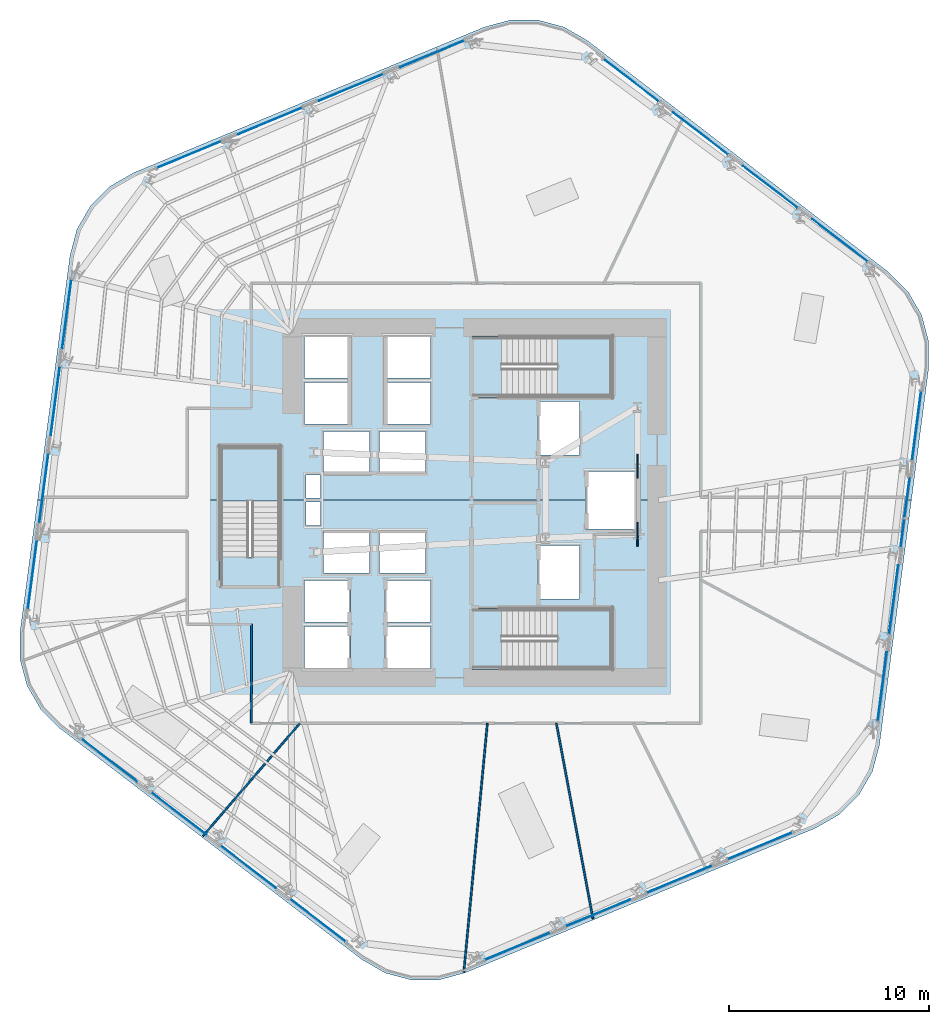
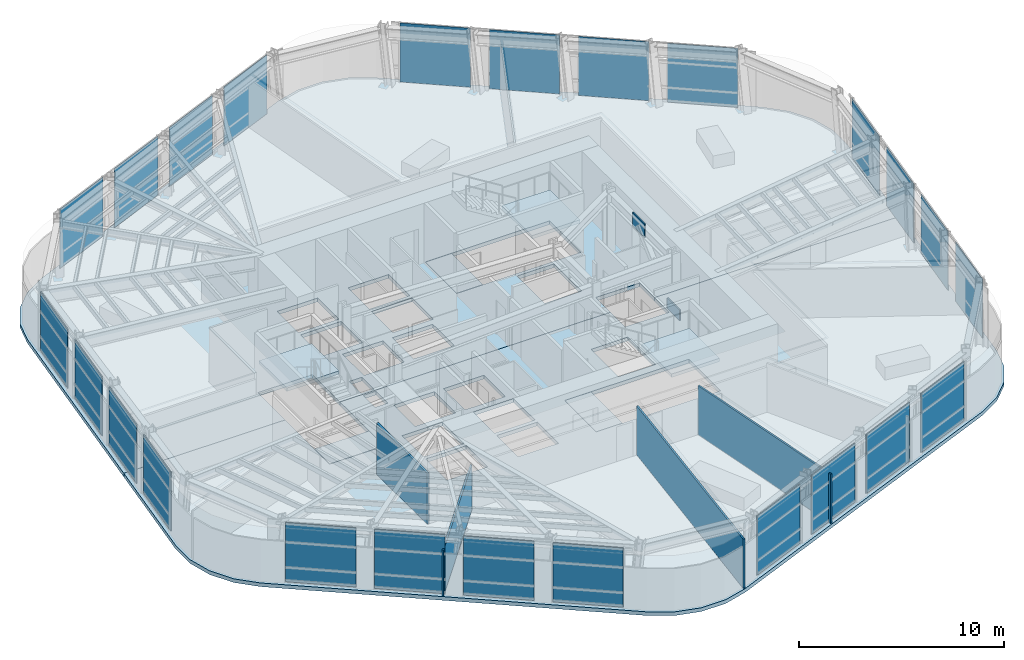
# One storey, part 8 of 18: 26 plates, 8 slabs, 4 walls, 9 elements without a shape of their own.
"""IFC4 building model written with IfcOpenShell, lengths in metres."""

from ifc_helpers import new_model, si_unit, direction, frame, frame_2d, origin, origin_2d, place, context, subcontext, project, spatial, polyline, rectangle, outline, extrude, material, layer, layer_set, type_object, element, aggregate, save


model = new_model("IFC4")

# Units and contexts
model_context = context("Model", 3, precision=1e-05, world=origin(), true_north=direction((0.0, 1.0)))
body_context = subcontext(model_context, "Body", "Model", "MODEL_VIEW")
ifc_project = project(units=[si_unit("LENGTHUNIT", "METRE"), si_unit("AREAUNIT", "SQUARE_METRE"), si_unit("VOLUMEUNIT", "CUBIC_METRE"), si_unit("PLANEANGLEUNIT", "RADIAN"), si_unit("MASSUNIT", "GRAM", prefix="KILO")], contexts=[model_context])

# Site, building, storey
site_placement = place(None, origin())
site = spatial("IfcSite", under=ifc_project, at=site_placement, CompositionType="ELEMENT")
building_placement = place(site_placement, origin())
building = spatial("IfcBuilding", under=site, at=building_placement, Name="Valkerne Bourse Tower", CompositionType="ELEMENT")
storey_placement = place(building_placement, frame((0.0, 0.0, 120.0)))
storey = spatial("IfcBuildingStorey", under=building, at=storey_placement, Name="L30", CompositionType="ELEMENT", Elevation=120.0)

# Curtain wall, plates
ifc_material_1 = material(Name="Aluminium AA 6063-T6", Category="aluminium")
ifc_layer_1 = layer(ifc_material_1, 0.22998046875)
ifc_layer_set_1 = layer_set([ifc_layer_1], Name="Aluminium AA 6063-T6")
curtain_wall_type = type_object("IfcCurtainWallType", Name="CW-02", PredefinedType="NOTDEFINED", material=ifc_layer_set_1)
curtain_wall_1_placement = place(storey_placement, origin())
curtain_wall_1 = element("IfcCurtainWall", 1, at=curtain_wall_1_placement, inside=storey, type_object=curtain_wall_type, Name="L30 Hexagonal Stick Curtain Wall Face 1", PredefinedType="NOTDEFINED")
ifc_material_2 = material(Name="Glass IGU Low-E Double Glazed", Category="glass")
ifc_layer_2 = layer(ifc_material_2, 0.031982421875)
ifc_layer_set_2 = layer_set([ifc_layer_2], Name="Glass IGU Low-E Double Glazed")
plate_type_1 = type_object("IfcPlateType", Name="CW-PNL-IGU-32", PredefinedType="CURTAIN_PANEL", material=ifc_layer_set_2)
plate_1_placement = place(storey_placement, frame((65.060302734375, 39.99755859375, 0.030029296875), z_axis=(0.0, 0.0, 1.0), x_axis=(-0.793347764857, 0.608768694987, 0.0)))
plate_1 = element("IfcPlate", 2, at=plate_1_placement, type_object=plate_type_1, Name="CW-L30-F1 Curtain Panel 00", PredefinedType="CURTAIN_PANEL", context=body_context, shape_type="SweptSolid", body=[
    extrude(rectangle(XDim=3.462890625, YDim=0.031982421875, at=origin_2d()), origin(), (0.0, 0.0, 1.0), 3.52001953125),
])
plate_2_placement = place(storey_placement, frame((61.5830078125, 42.66552734375, 0.030029296875), z_axis=(0.0, 0.0, 1.0), x_axis=(-0.793356220117, 0.608757675929, 0.0)))
plate_2 = element("IfcPlate", 3, at=plate_2_placement, type_object=plate_type_1, Name="CW-L30-F1 Curtain Panel 01", PredefinedType="CURTAIN_PANEL", context=body_context, shape_type="SweptSolid", body=[
    extrude(rectangle(XDim=3.463134765625, YDim=0.031982421875, at=origin_2d()), origin(), (0.0, 0.0, 1.0), 3.52001953125),
])
plate_3_placement = place(storey_placement, frame((58.105712890625, 45.333740234375, 0.030029296875), z_axis=(0.0, 0.0, 1.0), x_axis=(-0.793356220117, 0.608757675929, 0.0)))
plate_3 = element("IfcPlate", 4, at=plate_3_placement, type_object=plate_type_1, Name="CW-L30-F1 Curtain Panel 02", PredefinedType="CURTAIN_PANEL", context=body_context, shape_type="SweptSolid", body=[
    extrude(rectangle(XDim=3.463134765625, YDim=0.031982421875, at=origin_2d()), origin(), (0.0, 0.0, 1.0), 3.52001953125),
])
plate_4_placement = place(storey_placement, frame((54.62841796875, 48.001953125, 0.030029296875), z_axis=(0.0, 0.0, 1.0), x_axis=(-0.793347764857, 0.608768694987, 0.0)))
plate_4 = element("IfcPlate", 5, at=plate_4_placement, type_object=plate_type_1, Name="CW-L30-F1 Curtain Panel 03", PredefinedType="CURTAIN_PANEL", context=body_context, shape_type="SweptSolid", body=[
    extrude(rectangle(XDim=3.462890625, YDim=0.031982421875, at=origin_2d()), origin(), (0.0, 0.0, 1.0), 3.52001953125),
])
aggregate(curtain_wall_1, [plate_1, plate_2, plate_3, plate_4])

curtain_wall_2_placement = place(storey_placement, origin())
curtain_wall_2 = element("IfcCurtainWall", 6, at=curtain_wall_2_placement, inside=storey, type_object=curtain_wall_type, Name="L30 Hexagonal Stick Curtain Wall Face 2", PredefinedType="NOTDEFINED")
plate_5_placement = place(storey_placement, frame((44.674072265625, 49.3125, 0.030029296875), z_axis=(0.0, 0.0, 1.0), x_axis=(-0.923880855352, -0.382680238729, 0.0)))
plate_5 = element("IfcPlate", 7, at=plate_5_placement, type_object=plate_type_1, Name="CW-L30-F2 Curtain Panel 00", PredefinedType="CURTAIN_PANEL", context=body_context, shape_type="SweptSolid", body=[
    extrude(rectangle(XDim=3.463134765625, YDim=0.031982421875, at=origin_2d()), origin(), (0.0, 0.0, 1.0), 3.52001953125),
])
plate_6_placement = place(storey_placement, frame((40.624755859375, 47.63525390625, 0.030029296875), z_axis=(0.0, 0.0, 1.0), x_axis=(-0.923877514085, -0.38268830524, 0.0)))
plate_6 = element("IfcPlate", 8, at=plate_6_placement, type_object=plate_type_1, Name="CW-L30-F2 Curtain Panel 01", PredefinedType="CURTAIN_PANEL", context=body_context, shape_type="SweptSolid", body=[
    extrude(rectangle(XDim=3.462890625, YDim=0.031982421875, at=origin_2d()), origin(), (0.0, 0.0, 1.0), 3.52001953125),
])
plate_7_placement = place(storey_placement, frame((36.5751953125, 45.9580078125, 0.030029296875), z_axis=(0.0, 0.0, 1.0), x_axis=(-0.923880855352, -0.382680238729, 0.0)))
plate_7 = element("IfcPlate", 9, at=plate_7_placement, type_object=plate_type_1, Name="CW-L30-F2 Curtain Panel 02", PredefinedType="CURTAIN_PANEL", context=body_context, shape_type="SweptSolid", body=[
    extrude(rectangle(XDim=3.463134765625, YDim=0.031982421875, at=origin_2d()), origin(), (0.0, 0.0, 1.0), 3.52001953125),
])
plate_8_placement = place(storey_placement, frame((32.52587890625, 44.280517578125, 0.030029296875), z_axis=(0.0, 0.0, 1.0), x_axis=(-0.923877514085, -0.38268830524, 0.0)))
plate_8 = element("IfcPlate", 10, at=plate_8_placement, type_object=plate_type_1, Name="CW-L30-F2 Curtain Panel 03", PredefinedType="CURTAIN_PANEL", context=body_context, shape_type="SweptSolid", body=[
    extrude(rectangle(XDim=3.462890625, YDim=0.031982421875, at=origin_2d()), origin(), (0.0, 0.0, 1.0), 3.52001953125),
])
aggregate(curtain_wall_2, [plate_5, plate_6, plate_7, plate_8])

curtain_wall_3_placement = place(storey_placement, origin())
curtain_wall_3 = element("IfcCurtainWall", 11, at=curtain_wall_3_placement, inside=storey, type_object=curtain_wall_type, Name="L30 Hexagonal Stick Curtain Wall Face 3", PredefinedType="NOTDEFINED")
plate_9_placement = place(storey_placement, frame((26.413818359375, 36.315185546875, 0.030029296875), z_axis=(0.0, 0.0, 1.0), x_axis=(-0.130527105368, -0.991444741155, 0.0)))
plate_9 = element("IfcPlate", 12, at=plate_9_placement, type_object=plate_type_1, Name="CW-L30-F3 Curtain Panel 00", PredefinedType="CURTAIN_PANEL", context=body_context, shape_type="SweptSolid", body=[
    extrude(rectangle(XDim=3.462890625, YDim=0.031982421875, at=origin_2d()), origin(), (0.0, 0.0, 1.0), 3.52001953125),
])
plate_10_placement = place(storey_placement, frame((25.841796875, 31.9697265625, 0.030029296875), z_axis=(0.0, 0.0, 1.0), x_axis=(-0.130527105368, -0.991444741155, 0.0)))
plate_10 = element("IfcPlate", 13, at=plate_10_placement, type_object=plate_type_1, Name="CW-L30-F3 Curtain Panel 01", PredefinedType="CURTAIN_PANEL", context=body_context, shape_type="SweptSolid", body=[
    extrude(rectangle(XDim=3.462890625, YDim=0.031982421875, at=origin_2d()), origin(), (0.0, 0.0, 1.0), 3.52001953125),
])
plate_11_placement = place(storey_placement, frame((25.26953125, 27.624267578125, 0.030029296875), z_axis=(0.0, 0.0, 1.0), x_axis=(-0.130527105368, -0.991444741155, 0.0)))
plate_11 = element("IfcPlate", 14, at=plate_11_placement, type_object=plate_type_1, Name="CW-L30-F3 Curtain Panel 02", PredefinedType="CURTAIN_PANEL", context=body_context, shape_type="SweptSolid", body=[
    extrude(rectangle(XDim=3.462890625, YDim=0.031982421875, at=origin_2d()), origin(), (0.0, 0.0, 1.0), 3.52001953125),
])
plate_12_placement = place(storey_placement, frame((24.697509765625, 23.278564453125, 0.030029296875), z_axis=(0.0, 0.0, 1.0), x_axis=(-0.130527105368, -0.991444741155, 0.0)))
plate_12 = element("IfcPlate", 15, at=plate_12_placement, type_object=plate_type_1, Name="CW-L30-F3 Curtain Panel 03", PredefinedType="CURTAIN_PANEL", context=body_context, shape_type="SweptSolid", body=[
    extrude(rectangle(XDim=3.462890625, YDim=0.031982421875, at=origin_2d()), origin(), (0.0, 0.0, 1.0), 3.52001953125),
])
aggregate(curtain_wall_3, [plate_9, plate_10, plate_11, plate_12])

curtain_wall_4_placement = place(storey_placement, origin())
curtain_wall_4 = element("IfcCurtainWall", 16, at=curtain_wall_4_placement, inside=storey, type_object=curtain_wall_type, Name="L30 Hexagonal Stick Curtain Wall Face 4", PredefinedType="NOTDEFINED")
plate_13_placement = place(storey_placement, frame((28.539794921875, 14.00244140625, 0.030029296875), z_axis=(0.0, 0.0, 1.0), x_axis=(0.793347764857, -0.608768694987, 0.0)))
plate_13 = element("IfcPlate", 17, at=plate_13_placement, type_object=plate_type_1, Name="CW-L30-F4 Curtain Panel 00", PredefinedType="CURTAIN_PANEL", context=body_context, shape_type="SweptSolid", body=[
    extrude(rectangle(XDim=3.462890625, YDim=0.031982421875, at=origin_2d()), origin(), (0.0, 0.0, 1.0), 3.52001953125),
])
plate_14_placement = place(storey_placement, frame((32.01708984375, 11.33447265625, 0.030029296875), z_axis=(0.0, 0.0, 1.0), x_axis=(0.793356220117, -0.608757675929, 0.0)))
plate_14 = element("IfcPlate", 18, at=plate_14_placement, type_object=plate_type_1, Name="CW-L30-F4 Curtain Panel 01", PredefinedType="CURTAIN_PANEL", context=body_context, shape_type="SweptSolid", body=[
    extrude(rectangle(XDim=3.463134765625, YDim=0.031982421875, at=origin_2d()), origin(), (0.0, 0.0, 1.0), 3.52001953125),
])
plate_15_placement = place(storey_placement, frame((35.494384765625, 8.666259765625, 0.030029296875), z_axis=(0.0, 0.0, 1.0), x_axis=(0.793356220117, -0.608757675929, 0.0)))
plate_15 = element("IfcPlate", 19, at=plate_15_placement, type_object=plate_type_1, Name="CW-L30-F4 Curtain Panel 02", PredefinedType="CURTAIN_PANEL", context=body_context, shape_type="SweptSolid", body=[
    extrude(rectangle(XDim=3.463134765625, YDim=0.031982421875, at=origin_2d()), origin(), (0.0, 0.0, 1.0), 3.52001953125),
])
plate_16_placement = place(storey_placement, frame((38.971435546875, 5.997802734375, 0.030029296875), z_axis=(0.0, 0.0, 1.0), x_axis=(0.793347764857, -0.608768694987, 0.0)))
plate_16 = element("IfcPlate", 20, at=plate_16_placement, type_object=plate_type_1, Name="CW-L30-F4 Curtain Panel 03", PredefinedType="CURTAIN_PANEL", context=body_context, shape_type="SweptSolid", body=[
    extrude(rectangle(XDim=3.462890625, YDim=0.031982421875, at=origin_2d()), origin(), (0.0, 0.0, 1.0), 3.52001953125),
])
aggregate(curtain_wall_4, [plate_13, plate_14, plate_15, plate_16])

curtain_wall_5_placement = place(storey_placement, origin())
curtain_wall_5 = element("IfcCurtainWall", 21, at=curtain_wall_5_placement, inside=storey, type_object=curtain_wall_type, Name="L30 Hexagonal Stick Curtain Wall Face 5", PredefinedType="NOTDEFINED")
plate_17_placement = place(storey_placement, frame((48.926025390625, 4.6875, 0.030029296875), z_axis=(0.0, 0.0, 1.0), x_axis=(0.923880855352, 0.382680238729, 0.0)))
plate_17 = element("IfcPlate", 22, at=plate_17_placement, type_object=plate_type_1, Name="CW-L30-F5 Curtain Panel 00", PredefinedType="CURTAIN_PANEL", context=body_context, shape_type="SweptSolid", body=[
    extrude(rectangle(XDim=3.463134765625, YDim=0.031982421875, at=origin_2d()), origin(), (0.0, 0.0, 1.0), 3.52001953125),
])
plate_18_placement = place(storey_placement, frame((52.975341796875, 6.36474609375, 0.030029296875), z_axis=(0.0, 0.0, 1.0), x_axis=(0.923877514085, 0.38268830524, 0.0)))
plate_18 = element("IfcPlate", 23, at=plate_18_placement, type_object=plate_type_1, Name="CW-L30-F5 Curtain Panel 01", PredefinedType="CURTAIN_PANEL", context=body_context, shape_type="SweptSolid", body=[
    extrude(rectangle(XDim=3.462890625, YDim=0.031982421875, at=origin_2d()), origin(), (0.0, 0.0, 1.0), 3.52001953125),
])
plate_19_placement = place(storey_placement, frame((57.024658203125, 8.0419921875, 0.030029296875), z_axis=(0.0, 0.0, 1.0), x_axis=(0.923880855352, 0.382680238729, 0.0)))
plate_19 = element("IfcPlate", 24, at=plate_19_placement, type_object=plate_type_1, Name="CW-L30-F5 Curtain Panel 02", PredefinedType="CURTAIN_PANEL", context=body_context, shape_type="SweptSolid", body=[
    extrude(rectangle(XDim=3.463134765625, YDim=0.031982421875, at=origin_2d()), origin(), (0.0, 0.0, 1.0), 3.52001953125),
])
plate_20_placement = place(storey_placement, frame((61.073974609375, 9.71923828125, 0.030029296875), z_axis=(0.0, 0.0, 1.0), x_axis=(0.923877514085, 0.38268830524, 0.0)))
plate_20 = element("IfcPlate", 25, at=plate_20_placement, type_object=plate_type_1, Name="CW-L30-F5 Curtain Panel 03", PredefinedType="CURTAIN_PANEL", context=body_context, shape_type="SweptSolid", body=[
    extrude(rectangle(XDim=3.462890625, YDim=0.031982421875, at=origin_2d()), origin(), (0.0, 0.0, 1.0), 3.52001953125),
])
aggregate(curtain_wall_5, [plate_17, plate_18, plate_19, plate_20])

curtain_wall_6_placement = place(storey_placement, origin())
curtain_wall_6 = element("IfcCurtainWall", 26, at=curtain_wall_6_placement, inside=storey, type_object=curtain_wall_type, Name="L30 Hexagonal Stick Curtain Wall Face 6", PredefinedType="NOTDEFINED")
plate_21_placement = place(storey_placement, frame((67.186279296875, 17.684814453125, 0.030029296875), z_axis=(0.0, 0.0, 1.0), x_axis=(0.130527105368, 0.991444741155, 0.0)))
plate_21 = element("IfcPlate", 27, at=plate_21_placement, type_object=plate_type_1, Name="CW-L30-F6 Curtain Panel 00", PredefinedType="CURTAIN_PANEL", context=body_context, shape_type="SweptSolid", body=[
    extrude(rectangle(XDim=3.462890625, YDim=0.031982421875, at=origin_2d()), origin(), (0.0, 0.0, 1.0), 3.52001953125),
])
plate_22_placement = place(storey_placement, frame((67.75830078125, 22.0302734375, 0.030029296875), z_axis=(0.0, 0.0, 1.0), x_axis=(0.130527105368, 0.991444741155, 0.0)))
plate_22 = element("IfcPlate", 28, at=plate_22_placement, type_object=plate_type_1, Name="CW-L30-F6 Curtain Panel 01", PredefinedType="CURTAIN_PANEL", context=body_context, shape_type="SweptSolid", body=[
    extrude(rectangle(XDim=3.462890625, YDim=0.031982421875, at=origin_2d()), origin(), (0.0, 0.0, 1.0), 3.52001953125),
])
plate_23_placement = place(storey_placement, frame((68.330322265625, 26.375732421875, 0.030029296875), z_axis=(0.0, 0.0, 1.0), x_axis=(0.130527105368, 0.991444741155, 0.0)))
plate_23 = element("IfcPlate", 29, at=plate_23_placement, type_object=plate_type_1, Name="CW-L30-F6 Curtain Panel 02", PredefinedType="CURTAIN_PANEL", context=body_context, shape_type="SweptSolid", body=[
    extrude(rectangle(XDim=3.462890625, YDim=0.031982421875, at=origin_2d()), origin(), (0.0, 0.0, 1.0), 3.52001953125),
])
plate_24_placement = place(storey_placement, frame((68.902587890625, 30.721435546875, 0.030029296875), z_axis=(0.0, 0.0, 1.0), x_axis=(0.130527105368, 0.991444741155, 0.0)))
plate_24 = element("IfcPlate", 30, at=plate_24_placement, type_object=plate_type_1, Name="CW-L30-F6 Curtain Panel 03", PredefinedType="CURTAIN_PANEL", context=body_context, shape_type="SweptSolid", body=[
    extrude(rectangle(XDim=3.462890625, YDim=0.031982421875, at=origin_2d()), origin(), (0.0, 0.0, 1.0), 3.52001953125),
])
aggregate(curtain_wall_6, [plate_21, plate_22, plate_23, plate_24])

# Plates
ifc_material_3 = material(Name="Steel ASTM A572 Grade 50", Category="steel")
ifc_layer_3 = layer(ifc_material_3, 0.06005859375)
ifc_layer_set_3 = layer_set([ifc_layer_3], Name="Steel ASTM A572 Grade 50")
plate_type_2 = type_object("IfcPlateType", Name="PLT-GUS-60", PredefinedType="SHEET", material=ifc_layer_set_3)
for number, where, z_axis, x_axis, name in (
    (31, (54.949951171875, 25.300048828125, -0.18017578125), (0.0, 0.0, 1.0), (0.0, 1.0, 0.0), "L30 Brace Node Gusset Plate PLT-GUS-END-L30-376"),
    (32, (54.949951171875, 28.699951171875, 2.8740234375), (0.0, 0.0, 1.0), (0.0, 1.0, 0.0), "L30 Brace Node Gusset Plate PLT-GUS-END-L30-377"),
):
    element("IfcPlate", number, at=place(storey_placement, frame(where, z_axis=z_axis, x_axis=x_axis)), inside=storey, type_object=plate_type_2, Name=name, PredefinedType="SHEET", context=body_context, shape_type="SweptSolid", body=[
        extrude(rectangle(XDim=1.199951171875, YDim=0.06005859375, at=origin_2d()), origin(), (0.0, 0.0, 1.0), 0.800048828125),
    ])

# Slabs
ifc_material_4 = material(Name="Concrete C40/50", Category="concrete")
ifc_layer_4 = layer(ifc_material_4, 0.25)
ifc_layer_set_4 = layer_set([ifc_layer_4], Name="Concrete C40/50")
slab_type_1 = type_object("IfcSlabType", Name="SLB-RMP-LND-250", PredefinedType="LANDING", material=ifc_layer_set_4)
slab_1_placement = place(storey_placement, frame((0.0, 0.0, -0.219970703125)))
element("IfcSlab", 33, at=slab_1_placement, inside=storey, type_object=slab_type_1, Name="L30 ST-1 Floor Landing Slab", PredefinedType="LANDING", context=body_context, shape_type="SweptSolid", body=[
    extrude(outline(polyline([(46.669921875, 18.5400390625), (48.14990234375, 18.5400390625), (48.14990234375, 21.610107421875), (46.669921875, 21.610107421875), (46.669921875, 18.5400390625)])), origin(), (0.0, 0.0, 1.0), 0.219970703125),
])
slab_2_placement = place(storey_placement, frame((0.0, 0.0, -0.219970703125)))
element("IfcSlab", 34, at=slab_2_placement, inside=storey, type_object=slab_type_1, Name="L30 ST-2 Floor Landing Slab", PredefinedType="LANDING", context=body_context, shape_type="SweptSolid", body=[
    extrude(outline(polyline([(46.669921875, 32.139892578125), (48.14990234375, 32.139892578125), (48.14990234375, 35.2099609375), (46.669921875, 35.2099609375), (46.669921875, 32.139892578125)])), origin(), (0.0, 0.0, 1.0), 0.219970703125),
])
slab_3_placement = place(storey_placement, frame((0.0, 0.0, -0.219970703125)))
element("IfcSlab", 35, at=slab_3_placement, inside=storey, type_object=slab_type_1, Name="L30 ST-3 Floor Landing Slab", PredefinedType="LANDING", context=body_context, shape_type="SweptSolid", body=[
    extrude(outline(polyline([(37.110107421875, 22.669921875), (37.110107421875, 24.14990234375), (34.0400390625, 24.14990234375), (34.0400390625, 22.669921875), (37.110107421875, 22.669921875)])), origin(), (0.0, 0.0, 1.0), 0.219970703125),
])

# Stair, slab
stair_type = type_object("IfcStairType", Name="ST-CORE-1400", PredefinedType="HALF_TURN_STAIR", material=ifc_material_4)
stair_1_placement = place(storey_placement, origin())
stair_1 = element("IfcStair", 36, at=stair_1_placement, inside=storey, type_object=stair_type, Name="L30 ST-1", PredefinedType="HALF_TURN_STAIR")
ifc_layer_5 = layer(ifc_material_4, 0.179931640625)
ifc_layer_set_5 = layer_set([ifc_layer_5], Name="Concrete C40/50")
slab_type_2 = type_object("IfcSlabType", Name="SLB-ST-LND-180", PredefinedType="LANDING", material=ifc_layer_set_5)
slab_4_placement = place(storey_placement, frame((0.0, 0.0, 1.699951171875)))
slab_4 = element("IfcSlab", 37, at=slab_4_placement, type_object=slab_type_2, Name="ST-1 landing 1", PredefinedType="LANDING", context=body_context, shape_type="SweptSolid", body=[
    extrude(outline(polyline([(50.949951171875, 18.60009765625), (53.64990234375, 18.60009765625), (53.64990234375, 21.550048828125), (50.949951171875, 21.550048828125), (50.949951171875, 18.60009765625)])), origin(), (0.0, 0.0, 1.0), 0.199951171875),
])
aggregate(stair_1, [slab_4])

stair_2_placement = place(storey_placement, origin())
stair_2 = element("IfcStair", 38, at=stair_2_placement, inside=storey, type_object=stair_type, Name="L30 ST-2", PredefinedType="HALF_TURN_STAIR")
slab_5_placement = place(storey_placement, frame((0.0, 0.0, 1.699951171875)))
slab_5 = element("IfcSlab", 39, at=slab_5_placement, type_object=slab_type_2, Name="ST-2 landing 1", PredefinedType="LANDING", context=body_context, shape_type="SweptSolid", body=[
    extrude(outline(polyline([(50.949951171875, 32.199951171875), (53.64990234375, 32.199951171875), (53.64990234375, 35.14990234375), (50.949951171875, 35.14990234375), (50.949951171875, 32.199951171875)])), origin(), (0.0, 0.0, 1.0), 0.199951171875),
])
aggregate(stair_2, [slab_5])

stair_3_placement = place(storey_placement, origin())
stair_3 = element("IfcStair", 40, at=stair_3_placement, inside=storey, type_object=stair_type, Name="L30 ST-3", PredefinedType="HALF_TURN_STAIR")
slab_6_placement = place(storey_placement, frame((0.0, 0.0, 1.699951171875)))
slab_6 = element("IfcSlab", 41, at=slab_6_placement, type_object=slab_type_2, Name="ST-3 landing 1", PredefinedType="LANDING", context=body_context, shape_type="SweptSolid", body=[
    extrude(outline(polyline([(37.050048828125, 26.949951171875), (37.050048828125, 29.64990234375), (34.10009765625, 29.64990234375), (34.10009765625, 26.949951171875), (37.050048828125, 26.949951171875)])), origin(), (0.0, 0.0, 1.0), 0.199951171875),
])
aggregate(stair_3, [slab_6])

# Slabs
ifc_layer_6 = layer(ifc_material_4, 0.219970703125)
ifc_layer_set_6 = layer_set([ifc_layer_6], Name="Concrete C40/50")
slab_type_3 = type_object("IfcSlabType", Name="SLB-TOW-220", PredefinedType="FLOOR", material=ifc_layer_set_6)
slab_7_placement = place(storey_placement, frame((0.0, 0.0, -0.219970703125)))
element("IfcSlab", 42, at=slab_7_placement, inside=storey, type_object=slab_type_3, Name="L30 Hexagonal Composite Floor Slab S", PredefinedType="FLOOR", context=body_context, shape_type="SweptSolid", body=[
    extrude(outline(polyline([(66.69287109375, 13.43212890625), (66.01416015625, 12.256591796875), (65.05419921875, 11.296630859375), (63.878662109375, 10.617919921875), (46.310546875, 3.36279296875), (44.999267578125, 3.011474609375), (43.641845703125, 3.011474609375), (42.33056640625, 3.36279296875), (41.155029296875, 4.04150390625), (26.063232421875, 15.596435546875), (25.103515625, 16.55615234375), (24.4248046875, 17.731689453125), (24.073486328125, 19.043212890625), (24.073486328125, 20.400390625), (24.949462890625, 27.0), (34.034912109375, 27.0), (34.034912109375, 22.6650390625), (37.114990234375, 22.6650390625), (37.114990234375, 27.0), (52.360107421875, 27.0), (52.360107421875, 25.56005859375), (54.840087890625, 25.56005859375), (54.840087890625, 27.0), (68.64453125, 27.0), (67.044189453125, 14.743408203125), (66.69287109375, 13.43212890625)]), holes=[polyline([(40.590087890625, 20.68994140625), (38.31005859375, 20.68994140625), (38.31005859375, 18.610107421875), (40.590087890625, 18.610107421875), (40.590087890625, 20.68994140625)]), polyline([(40.590087890625, 22.989990234375), (38.31005859375, 22.989990234375), (38.31005859375, 20.909912109375), (40.590087890625, 20.909912109375), (40.590087890625, 22.989990234375)]), polyline([(41.5400390625, 25.43994140625), (39.260009765625, 25.43994140625), (39.260009765625, 23.360107421875), (41.5400390625, 23.360107421875), (41.5400390625, 25.43994140625)]), polyline([(39.10009765625, 25.72998046875), (39.10009765625, 26.89990234375), (38.3798828125, 26.89990234375), (38.3798828125, 25.72998046875), (39.10009765625, 25.72998046875)]), polyline([(44.590087890625, 20.68994140625), (42.31005859375, 20.68994140625), (42.31005859375, 18.610107421875), (44.590087890625, 18.610107421875), (44.590087890625, 20.68994140625)]), polyline([(53.675048828125, 21.614990234375), (46.6650390625, 21.614990234375), (46.6650390625, 18.534912109375), (53.675048828125, 18.534912109375), (53.675048828125, 21.614990234375)]), polyline([(44.590087890625, 22.989990234375), (42.31005859375, 22.989990234375), (42.31005859375, 20.909912109375), (44.590087890625, 20.909912109375), (44.590087890625, 22.989990234375)]), polyline([(52.0400390625, 22.06005859375), (52.0400390625, 24.739990234375), (49.9599609375, 24.739990234375), (49.9599609375, 22.06005859375), (52.0400390625, 22.06005859375)]), polyline([(44.340087890625, 23.360107421875), (44.340087890625, 25.43994140625), (42.06005859375, 25.43994140625), (42.06005859375, 23.360107421875), (44.340087890625, 23.360107421875)])]), origin(), (0.0, 0.0, 1.0), 0.219970703125),
])
slab_8_placement = place(storey_placement, frame((0.0, 0.0, -0.219970703125)))
element("IfcSlab", 43, at=slab_8_placement, inside=storey, type_object=slab_type_3, Name="L30 Hexagonal Composite Floor Slab N", PredefinedType="FLOOR", context=body_context, shape_type="SweptSolid", body=[
    extrude(outline(polyline([(26.57421875, 39.242431640625), (26.925537109375, 40.5537109375), (27.6044921875, 41.729248046875), (28.564208984375, 42.689208984375), (29.739990234375, 43.367919921875), (47.29248046875, 50.660400390625), (48.603759765625, 51.01171875), (49.961181640625, 51.01171875), (51.2724609375, 50.660400390625), (52.447998046875, 49.981689453125), (67.51513671875, 38.394775390625), (68.47509765625, 37.434814453125), (69.15380859375, 36.25927734375), (69.505126953125, 34.947998046875), (69.505126953125, 33.590576171875), (68.64453125, 27.0), (54.840087890625, 27.0), (54.840087890625, 28.43994140625), (52.360107421875, 28.43994140625), (52.360107421875, 27.0), (37.114990234375, 27.0), (37.114990234375, 29.675048828125), (34.034912109375, 29.675048828125), (34.034912109375, 27.0), (24.949462890625, 27.0), (26.57421875, 39.242431640625)]), holes=[polyline([(39.10009765625, 28.27001953125), (38.3798828125, 28.27001953125), (38.3798828125, 27.10009765625), (39.10009765625, 27.10009765625), (39.10009765625, 28.27001953125)]), polyline([(41.5400390625, 30.43994140625), (39.260009765625, 30.43994140625), (39.260009765625, 28.360107421875), (41.5400390625, 28.360107421875), (41.5400390625, 30.43994140625)]), polyline([(44.340087890625, 30.43994140625), (42.06005859375, 30.43994140625), (42.06005859375, 28.360107421875), (44.340087890625, 28.360107421875), (44.340087890625, 30.43994140625)]), polyline([(40.590087890625, 30.81005859375), (40.590087890625, 32.889892578125), (38.31005859375, 32.889892578125), (38.31005859375, 30.81005859375), (40.590087890625, 30.81005859375)]), polyline([(40.590087890625, 33.110107421875), (40.590087890625, 35.18994140625), (38.31005859375, 35.18994140625), (38.31005859375, 33.110107421875), (40.590087890625, 33.110107421875)]), polyline([(52.0400390625, 31.93994140625), (49.9599609375, 31.93994140625), (49.9599609375, 29.260009765625), (52.0400390625, 29.260009765625), (52.0400390625, 31.93994140625)]), polyline([(44.590087890625, 32.889892578125), (42.31005859375, 32.889892578125), (42.31005859375, 30.81005859375), (44.590087890625, 30.81005859375), (44.590087890625, 32.889892578125)]), polyline([(53.675048828125, 32.135009765625), (53.675048828125, 35.215087890625), (46.6650390625, 35.215087890625), (46.6650390625, 32.135009765625), (53.675048828125, 32.135009765625)]), polyline([(44.590087890625, 33.110107421875), (44.590087890625, 35.18994140625), (42.31005859375, 35.18994140625), (42.31005859375, 33.110107421875), (44.590087890625, 33.110107421875)])]), origin(), (0.0, 0.0, 1.0), 0.219970703125),
])

# Walls
ifc_material_5 = material(Name="Gypsum Board Steel-Stud Partition", Category="steel")
ifc_layer_7 = layer(ifc_material_5, 0.117919921875)
ifc_layer_set_7 = layer_set([ifc_layer_7], Name="Gypsum Board Steel-Stud Partition")
wall_type_1 = type_object("IfcWallType", Name="W-CORR-140", PredefinedType="PARTITIONING", material=ifc_layer_set_7)
wall_1_placement = place(storey_placement, frame((35.64990234375, 15.85009765625, 0.0), z_axis=(0.0, 0.0, 1.0), x_axis=(0.0, 1.0, 0.0)))
element("IfcWall", 44, at=wall_1_placement, inside=storey, type_object=wall_type_1, Name="L30 Corridor Enclosure Wall", PredefinedType="PARTITIONING", context=body_context, shape_type="SweptSolid", body=[
    extrude(rectangle(XDim=4.949951171875, YDim=0.117919921875, at=frame_2d((2.47509765625, 0.0))), origin(), (0.0, 0.0, 1.0), 3.03662109375),
])
ifc_layer_8 = layer(ifc_material_5, 0.092041015625)
ifc_layer_set_8 = layer_set([ifc_layer_8], Name="Gypsum Board Steel-Stud Partition")
wall_type_2 = type_object("IfcWallType", Name="W-PART-115", PredefinedType="PARTITIONING", material=ifc_layer_set_8)
wall_2_placement = place(storey_placement, frame((47.441650390625, 15.844970703125, 0.0), z_axis=(0.0, 0.0, 1.0), x_axis=(-0.094120202127, -0.995560840708, 0.0)))
element("IfcWall", 45, at=wall_2_placement, inside=storey, type_object=wall_type_2, Name="L30 Suite Partition P01", PredefinedType="PARTITIONING", context=body_context, shape_type="SweptSolid", body=[
    extrude(rectangle(XDim=12.476806640625, YDim=0.092041015625, at=frame_2d((6.23828125, 0.0))), origin(), (0.0, 0.0, 1.0), 2.92236328125),
])
wall_3_placement = place(storey_placement, frame((50.8935546875, 15.844970703125, 0.0), z_axis=(0.0, 0.0, 1.0), x_axis=(0.183948549557, -0.982935873349, 0.0)))
element("IfcWall", 46, at=wall_3_placement, inside=storey, type_object=wall_type_2, Name="L30 Suite Partition P02", PredefinedType="PARTITIONING", context=body_context, shape_type="SweptSolid", body=[
    extrude(rectangle(XDim=9.928955078125, YDim=0.092041015625, at=frame_2d((4.96435546875, 0.0))), origin(), (0.0, 0.0, 1.0), 2.92236328125),
])
wall_4_placement = place(storey_placement, frame((38.06494140625, 15.844970703125, 0.0), z_axis=(0.0, 0.0, 1.0), x_axis=(-0.651891272093, -0.758312448381, 0.0)))
element("IfcWall", 47, at=wall_4_placement, inside=storey, type_object=wall_type_2, Name="L30 Suite Partition P09", PredefinedType="PARTITIONING", context=body_context, shape_type="SweptSolid", body=[
    extrude(rectangle(XDim=7.43505859375, YDim=0.092041015625, at=frame_2d((3.717529296875, 0.0))), origin(), (0.0, 0.0, 1.0), 2.711669921875),
])

save(model, "model.ifc")
